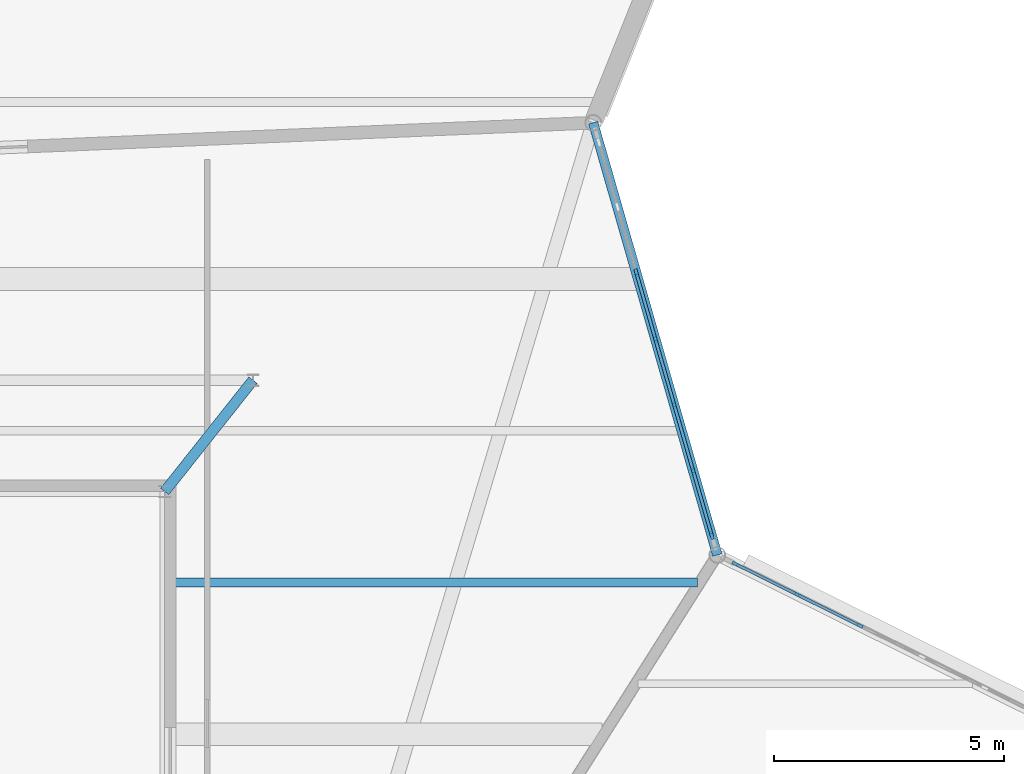
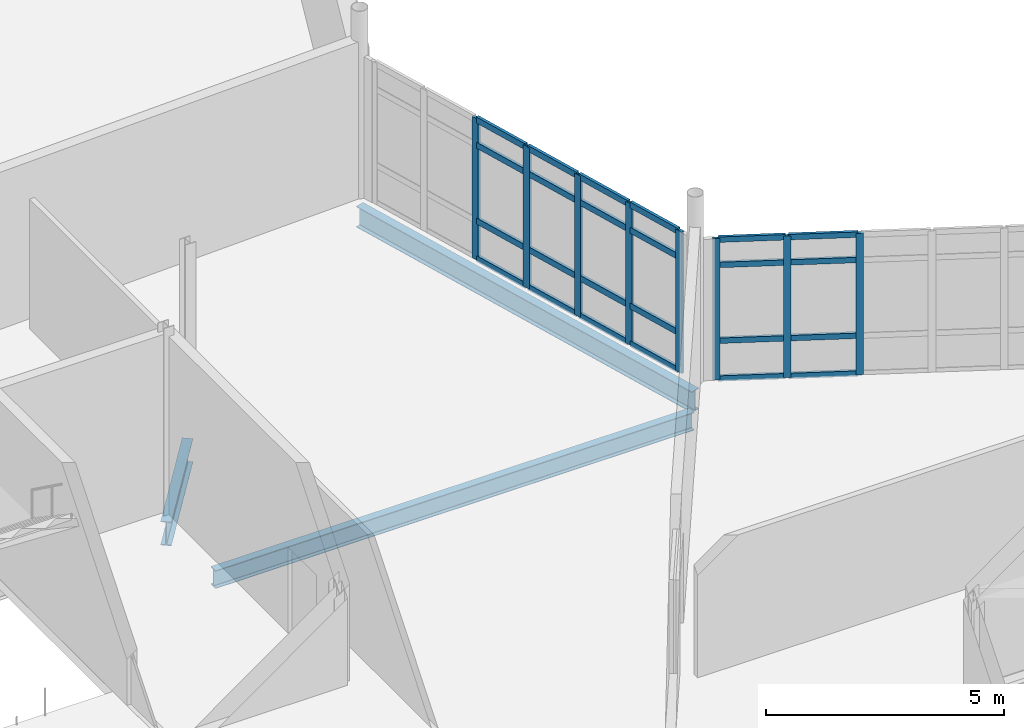
# One storey, part 46 of 114: 32 members, 3 beams, 2 elements without a shape of their own.
"""IFC4 building model written with IfcOpenShell, lengths in metres."""

from ifc_helpers import new_model, si_unit, direction, frame, origin, origin_2d, place, context, subcontext, project, spatial, rectangle, i_section, extrude, material, material_profile, profile_set, type_object, element, aggregate, save


model = new_model("IFC4")

# Units and contexts
model_context = context("Model", 3, precision=1e-05, world=origin(), true_north=direction((0.0, 1.0)))
body_context = subcontext(model_context, "Body", "Model", "MODEL_VIEW")
ifc_project = project(units=[si_unit("LENGTHUNIT", "METRE"), si_unit("AREAUNIT", "SQUARE_METRE"), si_unit("VOLUMEUNIT", "CUBIC_METRE"), si_unit("PLANEANGLEUNIT", "RADIAN"), si_unit("MASSUNIT", "GRAM", prefix="KILO")], contexts=[model_context])

# Site, building, storey
site_placement = place(None, origin())
site = spatial("IfcSite", under=ifc_project, at=site_placement, CompositionType="ELEMENT")
building_placement = place(site_placement, origin())
building = spatial("IfcBuilding", under=site, at=building_placement, Name="Tameran Prism Museum", CompositionType="ELEMENT")
storey_placement = place(building_placement, frame((0.0, 0.0, 10.199951171875)))
storey = spatial("IfcBuildingStorey", under=building, at=storey_placement, Name="L02", CompositionType="ELEMENT", Elevation=10.199951171875)

# Beams
ifc_material_1 = material(Name="Steel Grade 300PLUS (300 MPa)", Category="steel")
ifc_material_profile_1 = material_profile(ifc_material_1, i_section(OverallWidth=0.19091796875, OverallDepth=0.4599609375, WebThickness=0.010009765625, FlangeThickness=0.01611328125, FilletRadius=0.011474609375, at=origin_2d()))
ifc_profile_set_1 = profile_set([ifc_material_profile_1])
beam_type_1 = type_object("IfcBeamType", Name="BM-J460A", PredefinedType="JOIST", material=ifc_profile_set_1)
beam_1_placement = place(storey_placement, frame((48.47998046875, 72.60009765625, -0.489990234375), z_axis=(1.0, 0.0, 0.0), x_axis=(0.0, 1.0, 0.0)))
element("IfcBeam", 1, at=beam_1_placement, inside=storey, type_object=beam_type_1, Name="Floor Beam BM-0911", PredefinedType="JOIST", context=body_context, shape_type="SweptSolid", body=[
    extrude(i_section(OverallWidth=0.19091796875, OverallDepth=0.4599609375, WebThickness=0.010009765625, FlangeThickness=0.01611328125, FilletRadius=0.011474609375, at=origin_2d()), origin(), (0.0, 0.0, 1.0), 11.593017578125),
])
ifc_material_2 = material(Name="Steel Grade 300PLUS (300 MPa)", Category="steel")
ifc_material_profile_2 = material_profile(ifc_material_2, i_section(OverallWidth=0.208984375, OverallDepth=0.532958984375, WebThickness=0.01025390625, FlangeThickness=0.015625, FilletRadius=0.013916015625, at=origin_2d()))
ifc_profile_set_2 = profile_set([ifc_material_profile_2])
beam_type_2 = type_object("IfcBeamType", Name="BM-SP530A", PredefinedType="SPANDREL", material=ifc_profile_set_2)
beam_2_placement = place(storey_placement, frame((60.5, 73.199951171875, -0.5263671875), z_axis=(-0.276062724343, 0.96113962161, 0.0), x_axis=(-0.96113962161, -0.276062724343, 0.0)))
element("IfcBeam", 2, at=beam_2_placement, inside=storey, type_object=beam_type_2, Name="Perimeter Spandrel SP-0729", PredefinedType="SPANDREL", context=body_context, shape_type="SweptSolid", body=[
    extrude(i_section(OverallWidth=0.208984375, OverallDepth=0.532958984375, WebThickness=0.01025390625, FlangeThickness=0.015625, FilletRadius=0.013916015625, at=origin_2d()), origin(), (0.0, 0.0, 1.0), 9.7802734375),
])
ifc_material_3 = material(Name="Steel Grade 300PLUS (300 MPa)", Category="steel")
ifc_material_profile_3 = material_profile(ifc_material_3, i_section(OverallWidth=0.22900390625, OverallDepth=0.612060546875, WebThickness=0.011962890625, FlangeThickness=0.01953125, FilletRadius=0.013916015625, at=origin_2d()))
ifc_profile_set_3 = profile_set([ifc_material_profile_3])
beam_type_3 = type_object("IfcBeamType", Name="BM-UB610A", PredefinedType="BEAM", material=ifc_profile_set_3)
beam_3_placement = place(storey_placement, frame((50.39990234375, 77.0, -0.56591796875), z_axis=(-0.621528541647, -0.783391518922, 0.0), x_axis=(0.783391518922, -0.621528541647, 0.0)))
element("IfcBeam", 3, at=beam_3_placement, inside=storey, type_object=beam_type_3, Name="Frame Tie Girder FG-1327", PredefinedType="BEAM", context=body_context, shape_type="SweptSolid", body=[
    extrude(i_section(OverallWidth=0.22900390625, OverallDepth=0.612060546875, WebThickness=0.011962890625, FlangeThickness=0.01953125, FilletRadius=0.013916015625, at=origin_2d()), origin(), (0.0, 0.0, 1.0), 3.089111328125),
])

# Curtain wall, members
ifc_material_4 = material(Name="Anodised Aluminium 6063-T6 and Cyclone Solar Glass", Category="aluminium")
curtain_wall_type_1 = type_object("IfcCurtainWallType", Name="CW-FAC-1520x362", PredefinedType="USERDEFINED", material=ifc_material_4)
curtain_wall_1_placement = place(storey_placement, origin())
curtain_wall_1 = element("IfcCurtainWall", 4, at=curtain_wall_1_placement, inside=storey, type_object=curtain_wall_type_1, Name="Unitised Curtain Wall CW-115", ObjectType="UNITISED CURTAIN WALL", PredefinedType="USERDEFINED")
ifc_material_5 = material(Name="Anodised Aluminium Alloy 6063-T6", Category="aluminium")
ifc_material_profile_4 = material_profile(ifc_material_5, rectangle(XDim=0.06494140625, YDim=0.159912109375, at=origin_2d()))
ifc_profile_set_4 = profile_set([ifc_material_profile_4])
member_type_1 = type_object("IfcMemberType", Name="CW-MUL-A", PredefinedType="MULLION", material=ifc_profile_set_4)
member_1_placement = place(storey_placement, frame((60.89599609375, 73.00244140625, 0.0), z_axis=(0.0, 0.0, 1.0), x_axis=(0.444633769593, 0.895712459966, 0.0)))
member_1 = element("IfcMember", 5, at=member_1_placement, type_object=member_type_1, Name="CW-115 mullion 1", PredefinedType="MULLION", context=body_context, shape_type="SweptSolid", body=[
    extrude(rectangle(XDim=0.06494140625, YDim=0.159912109375, at=origin_2d()), origin(), (0.0, 0.0, 1.0), 3.6201171875),
])
member_2_placement = place(storey_placement, frame((62.22900390625, 72.3408203125, 0.0), z_axis=(0.0, 0.0, 1.0), x_axis=(0.444633769593, 0.895712459966, 0.0)))
member_2 = element("IfcMember", 6, at=member_2_placement, type_object=member_type_1, Name="CW-115 mullion 2", PredefinedType="MULLION", context=body_context, shape_type="SweptSolid", body=[
    extrude(rectangle(XDim=0.06494140625, YDim=0.159912109375, at=origin_2d()), origin(), (0.0, 0.0, 1.0), 3.6201171875),
])
member_3_placement = place(storey_placement, frame((63.591064453125, 71.664794921875, 0.0), z_axis=(0.0, 0.0, 1.0), x_axis=(0.444633769593, 0.895712459966, 0.0)))
member_3 = element("IfcMember", 7, at=member_3_placement, type_object=member_type_1, Name="CW-115 mullion 3", PredefinedType="MULLION", context=body_context, shape_type="SweptSolid", body=[
    extrude(rectangle(XDim=0.06494140625, YDim=0.159912109375, at=origin_2d()), origin(), (0.0, 0.0, 1.0), 3.6201171875),
])

ifc_material_6 = material(Name="Anodised Aluminium 6063-T6 and Cyclone Solar Glass", Category="aluminium")
curtain_wall_type_2 = type_object("IfcCurtainWallType", Name="CW-FAC-896x362", PredefinedType="USERDEFINED", material=ifc_material_6)
curtain_wall_2_placement = place(storey_placement, origin())
curtain_wall_2 = element("IfcCurtainWall", 8, at=curtain_wall_2_placement, inside=storey, type_object=curtain_wall_type_2, Name="Unitised Curtain Wall CW-124", ObjectType="UNITISED CURTAIN WALL", PredefinedType="USERDEFINED")
ifc_material_7 = material(Name="Anodised Aluminium Alloy 6063-T6", Category="aluminium")
ifc_material_profile_5 = material_profile(ifc_material_7, rectangle(XDim=0.070068359375, YDim=0.179931640625, at=origin_2d()))
ifc_profile_set_5 = profile_set([ifc_material_profile_5])
member_type_2 = type_object("IfcMemberType", Name="CW-MUL-B", PredefinedType="MULLION", material=ifc_profile_set_5)
member_4_placement = place(storey_placement, frame((58.738037109375, 79.33544921875, 0.0), z_axis=(0.0, 0.0, 1.0), x_axis=(0.961186288279, 0.275900197941, 0.0)))
member_4 = element("IfcMember", 9, at=member_4_placement, type_object=member_type_2, Name="CW-124 mullion 3", PredefinedType="MULLION", context=body_context, shape_type="SweptSolid", body=[
    extrude(rectangle(XDim=0.070068359375, YDim=0.179931640625, at=origin_2d()), origin(), (0.0, 0.0, 1.0), 3.6201171875),
])
member_5_placement = place(storey_placement, frame((59.14990234375, 77.89990234375, 0.0), z_axis=(0.0, 0.0, 1.0), x_axis=(0.961186288279, 0.275900197941, 0.0)))
member_5 = element("IfcMember", 10, at=member_5_placement, type_object=member_type_2, Name="CW-124 mullion 4", PredefinedType="MULLION", context=body_context, shape_type="SweptSolid", body=[
    extrude(rectangle(XDim=0.070068359375, YDim=0.179931640625, at=origin_2d()), origin(), (0.0, 0.0, 1.0), 3.6201171875),
])
member_6_placement = place(storey_placement, frame((59.56201171875, 76.464599609375, 0.0), z_axis=(0.0, 0.0, 1.0), x_axis=(0.961186288279, 0.275900197941, 0.0)))
member_6 = element("IfcMember", 11, at=member_6_placement, type_object=member_type_2, Name="CW-124 mullion 5", PredefinedType="MULLION", context=body_context, shape_type="SweptSolid", body=[
    extrude(rectangle(XDim=0.070068359375, YDim=0.179931640625, at=origin_2d()), origin(), (0.0, 0.0, 1.0), 3.6201171875),
])
member_7_placement = place(storey_placement, frame((59.97412109375, 75.029296875, 0.0), z_axis=(0.0, 0.0, 1.0), x_axis=(0.961186288279, 0.275900197941, 0.0)))
member_7 = element("IfcMember", 12, at=member_7_placement, type_object=member_type_2, Name="CW-124 mullion 6", PredefinedType="MULLION", context=body_context, shape_type="SweptSolid", body=[
    extrude(rectangle(XDim=0.070068359375, YDim=0.179931640625, at=origin_2d()), origin(), (0.0, 0.0, 1.0), 3.6201171875),
])
member_8_placement = place(storey_placement, frame((60.37646484375, 73.627685546875, 0.0), z_axis=(0.0, 0.0, 1.0), x_axis=(0.961186288279, 0.275900197941, 0.0)))
member_8 = element("IfcMember", 13, at=member_8_placement, type_object=member_type_2, Name="CW-124 mullion 7", PredefinedType="MULLION", context=body_context, shape_type="SweptSolid", body=[
    extrude(rectangle(XDim=0.070068359375, YDim=0.179931640625, at=origin_2d()), origin(), (0.0, 0.0, 1.0), 3.6201171875),
])

# Member
ifc_material_8 = material(Name="Anodised Aluminium Alloy 6063-T6", Category="aluminium")
ifc_material_profile_6 = material_profile(ifc_material_8, rectangle(XDim=0.06494140625, YDim=0.139892578125, at=origin_2d()))
ifc_profile_set_6 = profile_set([ifc_material_profile_6])
member_type_3 = type_object("IfcMemberType", Name="CW-TRN-A", PredefinedType="USERDEFINED", material=ifc_profile_set_6)
member_9_placement = place(storey_placement, frame((60.92529296875, 72.988037109375, 0.032470703125), z_axis=(0.895761424176, -0.444535117801, 0.0), x_axis=(0.444535117801, 0.895761424176, 0.0)))
member_9 = element("IfcMember", 14, at=member_9_placement, type_object=member_type_3, Name="CW-115 transom 1.1", ObjectType="TRANSOM", PredefinedType="USERDEFINED", context=body_context, shape_type="SweptSolid", body=[
    extrude(rectangle(XDim=0.06494140625, YDim=0.139892578125, at=origin_2d()), origin(), (0.0, 0.0, 1.0), 1.423095703125),
])

member_10_placement = place(storey_placement, frame((60.92529296875, 72.988037109375, 1.0), z_axis=(0.895761424176, -0.444535117801, 0.0), x_axis=(0.444535117801, 0.895761424176, 0.0)))
member_10 = element("IfcMember", 15, at=member_10_placement, type_object=member_type_3, Name="CW-115 transom 1.2", ObjectType="TRANSOM", PredefinedType="USERDEFINED", context=body_context, shape_type="SweptSolid", body=[
    extrude(rectangle(XDim=0.06494140625, YDim=0.139892578125, at=origin_2d()), origin(), (0.0, 0.0, 1.0), 1.423095703125),
])

member_11_placement = place(storey_placement, frame((60.92529296875, 72.988037109375, 2.93994140625), z_axis=(0.895761424176, -0.444535117801, 0.0), x_axis=(0.444535117801, 0.895761424176, 0.0)))
member_11 = element("IfcMember", 16, at=member_11_placement, type_object=member_type_3, Name="CW-115 transom 1.3", ObjectType="TRANSOM", PredefinedType="USERDEFINED", context=body_context, shape_type="SweptSolid", body=[
    extrude(rectangle(XDim=0.06494140625, YDim=0.139892578125, at=origin_2d()), origin(), (0.0, 0.0, 1.0), 1.423095703125),
])

member_12_placement = place(storey_placement, frame((60.92529296875, 72.988037109375, 3.587646484375), z_axis=(0.895761424176, -0.444535117801, 0.0), x_axis=(0.444535117801, 0.895761424176, 0.0)))
member_12 = element("IfcMember", 17, at=member_12_placement, type_object=member_type_3, Name="CW-115 transom 1.4", ObjectType="TRANSOM", PredefinedType="USERDEFINED", context=body_context, shape_type="SweptSolid", body=[
    extrude(rectangle(XDim=0.06494140625, YDim=0.139892578125, at=origin_2d()), origin(), (0.0, 0.0, 1.0), 1.423095703125),
])

member_13_placement = place(storey_placement, frame((62.258056640625, 72.326416015625, 0.032470703125), z_axis=(0.895698333913, -0.444662225319, 0.0), x_axis=(0.444662225319, 0.895698333913, 0.0)))
member_13 = element("IfcMember", 18, at=member_13_placement, type_object=member_type_3, Name="CW-115 transom 2.1", ObjectType="TRANSOM", PredefinedType="USERDEFINED", context=body_context, shape_type="SweptSolid", body=[
    extrude(rectangle(XDim=0.06494140625, YDim=0.139892578125, at=origin_2d()), origin(), (0.0, 0.0, 1.0), 1.45556640625),
])

member_14_placement = place(storey_placement, frame((62.258056640625, 72.326416015625, 1.0), z_axis=(0.895698333913, -0.444662225319, 0.0), x_axis=(0.444662225319, 0.895698333913, 0.0)))
member_14 = element("IfcMember", 19, at=member_14_placement, type_object=member_type_3, Name="CW-115 transom 2.2", ObjectType="TRANSOM", PredefinedType="USERDEFINED", context=body_context, shape_type="SweptSolid", body=[
    extrude(rectangle(XDim=0.06494140625, YDim=0.139892578125, at=origin_2d()), origin(), (0.0, 0.0, 1.0), 1.45556640625),
])

member_15_placement = place(storey_placement, frame((62.258056640625, 72.326416015625, 2.93994140625), z_axis=(0.895698333913, -0.444662225319, 0.0), x_axis=(0.444662225319, 0.895698333913, 0.0)))
member_15 = element("IfcMember", 20, at=member_15_placement, type_object=member_type_3, Name="CW-115 transom 2.3", ObjectType="TRANSOM", PredefinedType="USERDEFINED", context=body_context, shape_type="SweptSolid", body=[
    extrude(rectangle(XDim=0.06494140625, YDim=0.139892578125, at=origin_2d()), origin(), (0.0, 0.0, 1.0), 1.45556640625),
])

member_16_placement = place(storey_placement, frame((62.258056640625, 72.326416015625, 3.587646484375), z_axis=(0.895698333913, -0.444662225319, 0.0), x_axis=(0.444662225319, 0.895698333913, 0.0)))
member_16 = element("IfcMember", 21, at=member_16_placement, type_object=member_type_3, Name="CW-115 transom 2.4", ObjectType="TRANSOM", PredefinedType="USERDEFINED", context=body_context, shape_type="SweptSolid", body=[
    extrude(rectangle(XDim=0.06494140625, YDim=0.139892578125, at=origin_2d()), origin(), (0.0, 0.0, 1.0), 1.45556640625),
])

aggregate(curtain_wall_1, [member_1, member_2, member_3, member_9, member_10, member_11, member_12, member_13, member_14, member_15, member_16])

ifc_material_9 = material(Name="Anodised Aluminium Alloy 6063-T6", Category="aluminium")
ifc_material_profile_7 = material_profile(ifc_material_9, rectangle(XDim=0.070068359375, YDim=0.155029296875, at=origin_2d()))
ifc_profile_set_7 = profile_set([ifc_material_profile_7])
member_type_4 = type_object("IfcMemberType", Name="CW-TRN-B", PredefinedType="USERDEFINED", material=ifc_profile_set_7)
member_17_placement = place(storey_placement, frame((58.74755859375, 79.3017578125, 0.03515625), z_axis=(0.275966804368, -0.961167166984, 0.0), x_axis=(0.961167166984, 0.275966804368, 0.0)))
member_17 = element("IfcMember", 22, at=member_17_placement, type_object=member_type_4, Name="CW-124 transom 3.1", ObjectType="TRANSOM", PredefinedType="USERDEFINED", context=body_context, shape_type="SweptSolid", body=[
    extrude(rectangle(XDim=0.070068359375, YDim=0.155029296875, at=origin_2d()), origin(), (0.0, 0.0, 1.0), 1.42333984375),
])

member_18_placement = place(storey_placement, frame((58.74755859375, 79.3017578125, 1.0), z_axis=(0.275966804368, -0.961167166984, 0.0), x_axis=(0.961167166984, 0.275966804368, 0.0)))
member_18 = element("IfcMember", 23, at=member_18_placement, type_object=member_type_4, Name="CW-124 transom 3.2", ObjectType="TRANSOM", PredefinedType="USERDEFINED", context=body_context, shape_type="SweptSolid", body=[
    extrude(rectangle(XDim=0.070068359375, YDim=0.155029296875, at=origin_2d()), origin(), (0.0, 0.0, 1.0), 1.42333984375),
])

member_19_placement = place(storey_placement, frame((58.74755859375, 79.3017578125, 2.93994140625), z_axis=(0.275966804368, -0.961167166984, 0.0), x_axis=(0.961167166984, 0.275966804368, 0.0)))
member_19 = element("IfcMember", 24, at=member_19_placement, type_object=member_type_4, Name="CW-124 transom 3.3", ObjectType="TRANSOM", PredefinedType="USERDEFINED", context=body_context, shape_type="SweptSolid", body=[
    extrude(rectangle(XDim=0.070068359375, YDim=0.155029296875, at=origin_2d()), origin(), (0.0, 0.0, 1.0), 1.42333984375),
])

member_20_placement = place(storey_placement, frame((58.74755859375, 79.3017578125, 3.5849609375), z_axis=(0.275966804368, -0.961167166984, 0.0), x_axis=(0.961167166984, 0.275966804368, 0.0)))
member_20 = element("IfcMember", 25, at=member_20_placement, type_object=member_type_4, Name="CW-124 transom 3.4", ObjectType="TRANSOM", PredefinedType="USERDEFINED", context=body_context, shape_type="SweptSolid", body=[
    extrude(rectangle(XDim=0.070068359375, YDim=0.155029296875, at=origin_2d()), origin(), (0.0, 0.0, 1.0), 1.42333984375),
])

member_21_placement = place(storey_placement, frame((59.15966796875, 77.866455078125, 0.03515625), z_axis=(0.27580834078, -0.961212650331, 0.0), x_axis=(0.961212650331, 0.27580834078, 0.0)))
member_21 = element("IfcMember", 26, at=member_21_placement, type_object=member_type_4, Name="CW-124 transom 4.1", ObjectType="TRANSOM", PredefinedType="USERDEFINED", context=body_context, shape_type="SweptSolid", body=[
    extrude(rectangle(XDim=0.070068359375, YDim=0.155029296875, at=origin_2d()), origin(), (0.0, 0.0, 1.0), 1.42333984375),
])

member_22_placement = place(storey_placement, frame((59.15966796875, 77.866455078125, 1.0), z_axis=(0.27580834078, -0.961212650331, 0.0), x_axis=(0.961212650331, 0.27580834078, 0.0)))
member_22 = element("IfcMember", 27, at=member_22_placement, type_object=member_type_4, Name="CW-124 transom 4.2", ObjectType="TRANSOM", PredefinedType="USERDEFINED", context=body_context, shape_type="SweptSolid", body=[
    extrude(rectangle(XDim=0.070068359375, YDim=0.155029296875, at=origin_2d()), origin(), (0.0, 0.0, 1.0), 1.42333984375),
])

member_23_placement = place(storey_placement, frame((59.15966796875, 77.866455078125, 2.93994140625), z_axis=(0.27580834078, -0.961212650331, 0.0), x_axis=(0.961212650331, 0.27580834078, 0.0)))
member_23 = element("IfcMember", 28, at=member_23_placement, type_object=member_type_4, Name="CW-124 transom 4.3", ObjectType="TRANSOM", PredefinedType="USERDEFINED", context=body_context, shape_type="SweptSolid", body=[
    extrude(rectangle(XDim=0.070068359375, YDim=0.155029296875, at=origin_2d()), origin(), (0.0, 0.0, 1.0), 1.42333984375),
])

member_24_placement = place(storey_placement, frame((59.15966796875, 77.866455078125, 3.5849609375), z_axis=(0.27580834078, -0.961212650331, 0.0), x_axis=(0.961212650331, 0.27580834078, 0.0)))
member_24 = element("IfcMember", 29, at=member_24_placement, type_object=member_type_4, Name="CW-124 transom 4.4", ObjectType="TRANSOM", PredefinedType="USERDEFINED", context=body_context, shape_type="SweptSolid", body=[
    extrude(rectangle(XDim=0.070068359375, YDim=0.155029296875, at=origin_2d()), origin(), (0.0, 0.0, 1.0), 1.42333984375),
])

member_25_placement = place(storey_placement, frame((59.57177734375, 76.430908203125, 0.03515625), z_axis=(0.275853820406, -0.961199599338, 0.0), x_axis=(0.961199599338, 0.275853820406, 0.0)))
member_25 = element("IfcMember", 30, at=member_25_placement, type_object=member_type_4, Name="CW-124 transom 5.1", ObjectType="TRANSOM", PredefinedType="USERDEFINED", context=body_context, shape_type="SweptSolid", body=[
    extrude(rectangle(XDim=0.070068359375, YDim=0.155029296875, at=origin_2d()), origin(), (0.0, 0.0, 1.0), 1.423095703125),
])

member_26_placement = place(storey_placement, frame((59.57177734375, 76.430908203125, 1.0), z_axis=(0.275853820406, -0.961199599338, 0.0), x_axis=(0.961199599338, 0.275853820406, 0.0)))
member_26 = element("IfcMember", 31, at=member_26_placement, type_object=member_type_4, Name="CW-124 transom 5.2", ObjectType="TRANSOM", PredefinedType="USERDEFINED", context=body_context, shape_type="SweptSolid", body=[
    extrude(rectangle(XDim=0.070068359375, YDim=0.155029296875, at=origin_2d()), origin(), (0.0, 0.0, 1.0), 1.423095703125),
])

member_27_placement = place(storey_placement, frame((59.57177734375, 76.430908203125, 2.93994140625), z_axis=(0.275853820406, -0.961199599338, 0.0), x_axis=(0.961199599338, 0.275853820406, 0.0)))
member_27 = element("IfcMember", 32, at=member_27_placement, type_object=member_type_4, Name="CW-124 transom 5.3", ObjectType="TRANSOM", PredefinedType="USERDEFINED", context=body_context, shape_type="SweptSolid", body=[
    extrude(rectangle(XDim=0.070068359375, YDim=0.155029296875, at=origin_2d()), origin(), (0.0, 0.0, 1.0), 1.423095703125),
])

member_28_placement = place(storey_placement, frame((59.57177734375, 76.430908203125, 3.5849609375), z_axis=(0.275853820406, -0.961199599338, 0.0), x_axis=(0.961199599338, 0.275853820406, 0.0)))
member_28 = element("IfcMember", 33, at=member_28_placement, type_object=member_type_4, Name="CW-124 transom 5.4", ObjectType="TRANSOM", PredefinedType="USERDEFINED", context=body_context, shape_type="SweptSolid", body=[
    extrude(rectangle(XDim=0.070068359375, YDim=0.155029296875, at=origin_2d()), origin(), (0.0, 0.0, 1.0), 1.423095703125),
])

member_29_placement = place(storey_placement, frame((59.983642578125, 74.99560546875, 0.03515625), z_axis=(0.275952046312, -0.96117140414, 0.0), x_axis=(0.96117140414, 0.275952046312, 0.0)))
member_29 = element("IfcMember", 34, at=member_29_placement, type_object=member_type_4, Name="CW-124 transom 6.1", ObjectType="TRANSOM", PredefinedType="USERDEFINED", context=body_context, shape_type="SweptSolid", body=[
    extrude(rectangle(XDim=0.070068359375, YDim=0.155029296875, at=origin_2d()), origin(), (0.0, 0.0, 1.0), 1.38818359375),
])

member_30_placement = place(storey_placement, frame((59.983642578125, 74.99560546875, 1.0), z_axis=(0.275952046312, -0.96117140414, 0.0), x_axis=(0.96117140414, 0.275952046312, 0.0)))
member_30 = element("IfcMember", 35, at=member_30_placement, type_object=member_type_4, Name="CW-124 transom 6.2", ObjectType="TRANSOM", PredefinedType="USERDEFINED", context=body_context, shape_type="SweptSolid", body=[
    extrude(rectangle(XDim=0.070068359375, YDim=0.155029296875, at=origin_2d()), origin(), (0.0, 0.0, 1.0), 1.38818359375),
])

member_31_placement = place(storey_placement, frame((59.983642578125, 74.99560546875, 2.93994140625), z_axis=(0.275952046312, -0.96117140414, 0.0), x_axis=(0.96117140414, 0.275952046312, 0.0)))
member_31 = element("IfcMember", 36, at=member_31_placement, type_object=member_type_4, Name="CW-124 transom 6.3", ObjectType="TRANSOM", PredefinedType="USERDEFINED", context=body_context, shape_type="SweptSolid", body=[
    extrude(rectangle(XDim=0.070068359375, YDim=0.155029296875, at=origin_2d()), origin(), (0.0, 0.0, 1.0), 1.38818359375),
])

member_32_placement = place(storey_placement, frame((59.983642578125, 74.99560546875, 3.5849609375), z_axis=(0.275952046312, -0.96117140414, 0.0), x_axis=(0.96117140414, 0.275952046312, 0.0)))
member_32 = element("IfcMember", 37, at=member_32_placement, type_object=member_type_4, Name="CW-124 transom 6.4", ObjectType="TRANSOM", PredefinedType="USERDEFINED", context=body_context, shape_type="SweptSolid", body=[
    extrude(rectangle(XDim=0.070068359375, YDim=0.155029296875, at=origin_2d()), origin(), (0.0, 0.0, 1.0), 1.38818359375),
])

aggregate(curtain_wall_2, [member_4, member_5, member_6, member_7, member_8, member_17, member_18, member_19, member_20, member_21, member_22, member_23, member_24, member_25, member_26, member_27, member_28, member_29, member_30, member_31, member_32])

save(model, "model.ifc")
